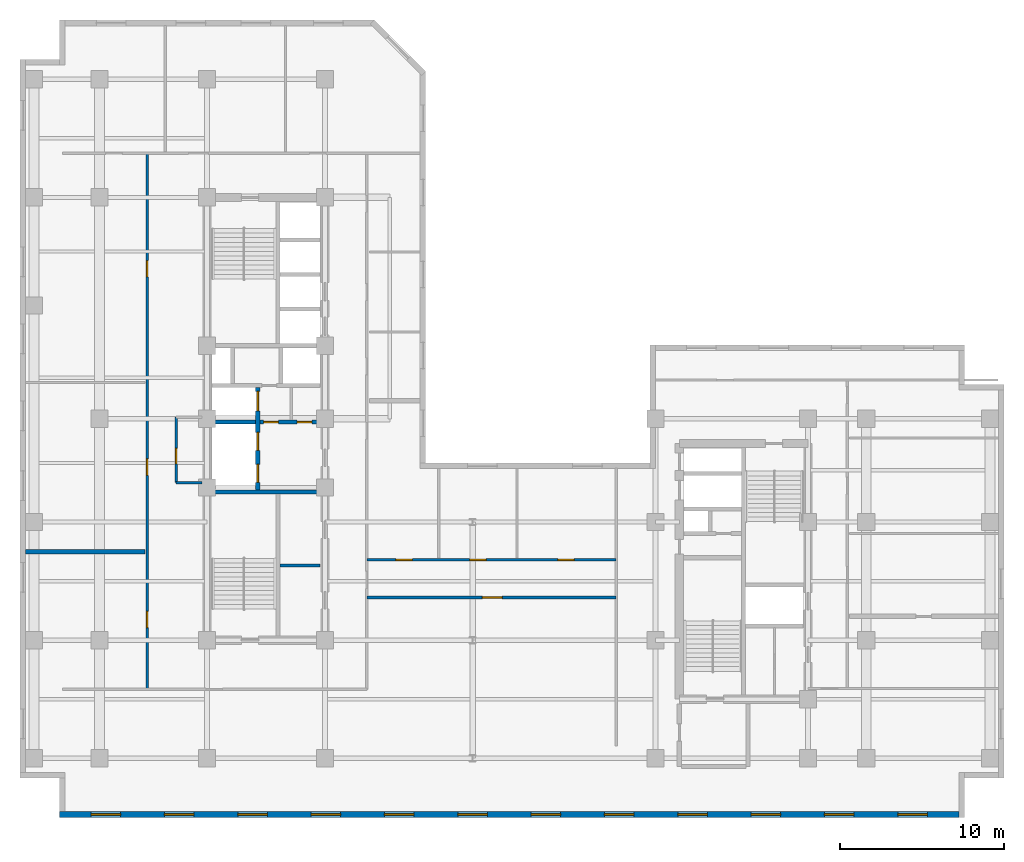
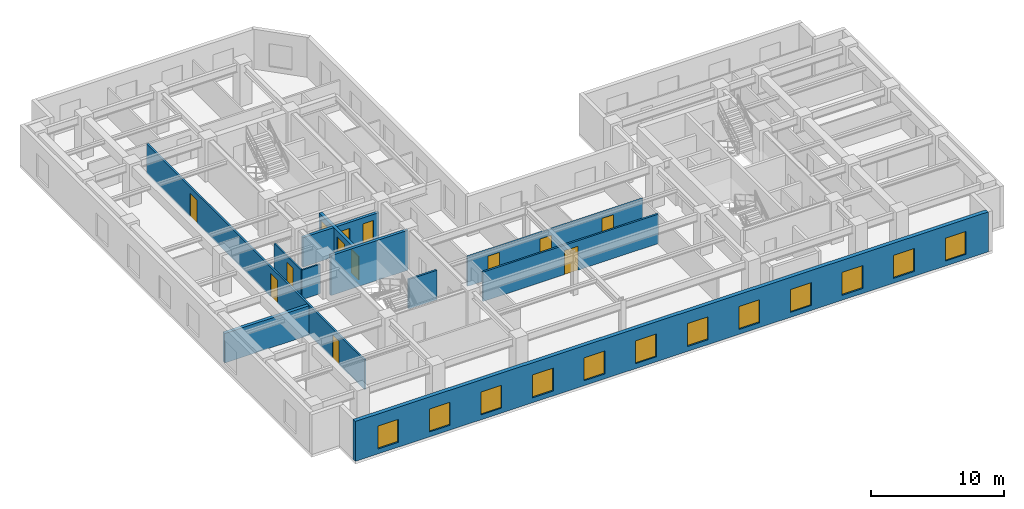
# One storey, part 3 of 10: 13 doors, 12 windows, 11 walls, 25 openings.
"""IFC4 building model written with IfcOpenShell, lengths in metres."""

from ifc_helpers import new_model, entity, si_unit, converted_unit, direction, frame, origin_with_axes, origin_2d_with_axis, place, context, subcontext, project, spatial, polyline, rectangle, outline, extrude, material, layer, layer_set, type_object, element, fill, save


model = new_model("IFC4")

# Units and contexts
model_context = context("Model", 3, precision=1e-05, world=origin_with_axes(), true_north=direction((0.0, 1.0)))
body_context = subcontext(model_context, "Body", "Model", "MODEL_VIEW")
ifc_project = project(units=[si_unit("LENGTHUNIT", "METRE"), si_unit("AREAUNIT", "SQUARE_METRE"), si_unit("VOLUMEUNIT", "CUBIC_METRE"), converted_unit("PLANEANGLEUNIT", "DEGREE", entity("IfcPlaneAngleMeasure", 0.017453292519943295), si_unit("PLANEANGLEUNIT", "RADIAN"), dimensions=[0, 0, 0, 0, 0, 0, 0]), si_unit("MASSUNIT", "GRAM", prefix="KILO"), si_unit("THERMODYNAMICTEMPERATUREUNIT", "KELVIN")], contexts=[model_context])

# Site, building, storey
site_placement = place(None, origin_with_axes())
site = spatial("IfcSite", under=ifc_project, at=site_placement, CompositionType="ELEMENT")
building_placement = place(site_placement, origin_with_axes())
building = spatial("IfcBuilding", under=site, at=building_placement, Name="Varnlund Millrace Tower", CompositionType="ELEMENT")
storey_placement = place(building_placement, frame((0.0, 0.0, 171.9), z_axis=(0.0, 0.0, 1.0), x_axis=(1.0, 0.0, 0.0)))
storey = spatial("IfcBuildingStorey", under=building, at=storey_placement, Name="L42", CompositionType="ELEMENT", Elevation=171.9)

# Wall, openings, windows
ifc_material_1 = material(Name="Precast concrete C50/60", Category="concrete")
ifc_layer_1 = layer(ifc_material_1, 0.34, Name="Precast concrete C50/60")
ifc_layer_set_1 = layer_set([ifc_layer_1], Name="Precast concrete C50/60")
wall_type_1 = type_object("IfcWallType", Name="Type-ExtWall-Precast-Upper-340", PredefinedType="SOLIDWALL", material=ifc_layer_set_1)
wall_1_placement = place(storey_placement, frame((57.26, 0.17, 0.0), z_axis=(0.0, 0.0, 1.0), x_axis=(-1.0, 0.0, 0.0)))
wall_1 = element("IfcWall", 1, at=wall_1_placement, inside=storey, type_object=wall_type_1, Name="Type-ExtWall-Precast-Upper-340", PredefinedType="SOLIDWALL", context=body_context, shape_type="SweptSolid", body=[
    extrude(outline(polyline([(0.0, -0.17), (54.86, -0.17), (54.86, 0.17), (0.0, 0.17), (0.0, -0.17)])), origin_with_axes(), (0.0, 0.0, 1.0), 3.66),
])
opening_1_placement = place(wall_1_placement, frame((2.836, 0.0, 0.45), z_axis=(0.0, 0.0, 1.0), x_axis=(1.0, 0.0, 0.0)))
opening_1 = element("IfcOpeningElement", 2, at=opening_1_placement, cuts=wall_1, Name="Opening L42:WN-07", PredefinedType="OPENING", context=body_context, shape_type="SweptSolid", body=[
    extrude(rectangle(XDim=1.8, YDim=0.36, at=origin_2d_with_axis()), origin_with_axes(), (0.0, 0.0, 1.0), 2.1),
])
opening_2_placement = place(wall_1_placement, frame((7.307, 0.0, 0.45), z_axis=(0.0, 0.0, 1.0), x_axis=(1.0, 0.0, 0.0)))
opening_2 = element("IfcOpeningElement", 3, at=opening_2_placement, cuts=wall_1, Name="Opening L42:WN-08", PredefinedType="OPENING", context=body_context, shape_type="SweptSolid", body=[
    extrude(rectangle(XDim=1.8, YDim=0.36, at=origin_2d_with_axis()), origin_with_axes(), (0.0, 0.0, 1.0), 2.1),
])
opening_3_placement = place(wall_1_placement, frame((11.779, 0.0, 0.45), z_axis=(0.0, 0.0, 1.0), x_axis=(1.0, 0.0, 0.0)))
opening_3 = element("IfcOpeningElement", 4, at=opening_3_placement, cuts=wall_1, Name="Opening L42:WN-09", PredefinedType="OPENING", context=body_context, shape_type="SweptSolid", body=[
    extrude(rectangle(XDim=1.8, YDim=0.36, at=origin_2d_with_axis()), origin_with_axes(), (0.0, 0.0, 1.0), 2.1),
])
opening_4_placement = place(wall_1_placement, frame((16.251, 0.0, 0.45), z_axis=(0.0, 0.0, 1.0), x_axis=(1.0, 0.0, 0.0)))
opening_4 = element("IfcOpeningElement", 5, at=opening_4_placement, cuts=wall_1, Name="Opening L42:WN-10", PredefinedType="OPENING", context=body_context, shape_type="SweptSolid", body=[
    extrude(rectangle(XDim=1.8, YDim=0.36, at=origin_2d_with_axis()), origin_with_axes(), (0.0, 0.0, 1.0), 2.1),
])
opening_5_placement = place(wall_1_placement, frame((20.723, 0.0, 0.45), z_axis=(0.0, 0.0, 1.0), x_axis=(1.0, 0.0, 0.0)))
opening_5 = element("IfcOpeningElement", 6, at=opening_5_placement, cuts=wall_1, Name="Opening L42:WN-11", PredefinedType="OPENING", context=body_context, shape_type="SweptSolid", body=[
    extrude(rectangle(XDim=1.8, YDim=0.36, at=origin_2d_with_axis()), origin_with_axes(), (0.0, 0.0, 1.0), 2.1),
])
opening_6_placement = place(wall_1_placement, frame((25.194, 0.0, 0.45), z_axis=(0.0, 0.0, 1.0), x_axis=(1.0, 0.0, 0.0)))
opening_6 = element("IfcOpeningElement", 7, at=opening_6_placement, cuts=wall_1, Name="Opening L42:WN-12", PredefinedType="OPENING", context=body_context, shape_type="SweptSolid", body=[
    extrude(rectangle(XDim=1.8, YDim=0.36, at=origin_2d_with_axis()), origin_with_axes(), (0.0, 0.0, 1.0), 2.1),
])
opening_7_placement = place(wall_1_placement, frame((29.666, 0.0, 0.45), z_axis=(0.0, 0.0, 1.0), x_axis=(1.0, 0.0, 0.0)))
opening_7 = element("IfcOpeningElement", 8, at=opening_7_placement, cuts=wall_1, Name="Opening L42:WN-13", PredefinedType="OPENING", context=body_context, shape_type="SweptSolid", body=[
    extrude(rectangle(XDim=1.8, YDim=0.36, at=origin_2d_with_axis()), origin_with_axes(), (0.0, 0.0, 1.0), 2.1),
])
opening_8_placement = place(wall_1_placement, frame((34.138, 0.0, 0.45), z_axis=(0.0, 0.0, 1.0), x_axis=(1.0, 0.0, 0.0)))
opening_8 = element("IfcOpeningElement", 9, at=opening_8_placement, cuts=wall_1, Name="Opening L42:WN-14", PredefinedType="OPENING", context=body_context, shape_type="SweptSolid", body=[
    extrude(rectangle(XDim=1.8, YDim=0.36, at=origin_2d_with_axis()), origin_with_axes(), (0.0, 0.0, 1.0), 2.1),
])
opening_9_placement = place(wall_1_placement, frame((38.609, 0.0, 0.45), z_axis=(0.0, 0.0, 1.0), x_axis=(1.0, 0.0, 0.0)))
opening_9 = element("IfcOpeningElement", 10, at=opening_9_placement, cuts=wall_1, Name="Opening L42:WN-15", PredefinedType="OPENING", context=body_context, shape_type="SweptSolid", body=[
    extrude(rectangle(XDim=1.8, YDim=0.36, at=origin_2d_with_axis()), origin_with_axes(), (0.0, 0.0, 1.0), 2.1),
])
opening_10_placement = place(wall_1_placement, frame((43.081, 0.0, 0.45), z_axis=(0.0, 0.0, 1.0), x_axis=(1.0, 0.0, 0.0)))
opening_10 = element("IfcOpeningElement", 11, at=opening_10_placement, cuts=wall_1, Name="Opening L42:WN-16", PredefinedType="OPENING", context=body_context, shape_type="SweptSolid", body=[
    extrude(rectangle(XDim=1.8, YDim=0.36, at=origin_2d_with_axis()), origin_with_axes(), (0.0, 0.0, 1.0), 2.1),
])
opening_11_placement = place(wall_1_placement, frame((47.553, 0.0, 0.45), z_axis=(0.0, 0.0, 1.0), x_axis=(1.0, 0.0, 0.0)))
opening_11 = element("IfcOpeningElement", 12, at=opening_11_placement, cuts=wall_1, Name="Opening L42:WN-17", PredefinedType="OPENING", context=body_context, shape_type="SweptSolid", body=[
    extrude(rectangle(XDim=1.8, YDim=0.36, at=origin_2d_with_axis()), origin_with_axes(), (0.0, 0.0, 1.0), 2.1),
])
opening_12_placement = place(wall_1_placement, frame((52.024, 0.0, 0.45), z_axis=(0.0, 0.0, 1.0), x_axis=(1.0, 0.0, 0.0)))
opening_12 = element("IfcOpeningElement", 13, at=opening_12_placement, cuts=wall_1, Name="Opening L42:WN-18", PredefinedType="OPENING", context=body_context, shape_type="SweptSolid", body=[
    extrude(rectangle(XDim=1.8, YDim=0.36, at=origin_2d_with_axis()), origin_with_axes(), (0.0, 0.0, 1.0), 2.1),
])
ifc_material_2 = material(Name="Argon low-e triple glazing in thermally broken bronze frame", Category="glass")
window_type = type_object("IfcWindowType", Name="Type-Window-Punched-1800X2100", PartitioningType="SINGLE_PANEL", PredefinedType="WINDOW", material=ifc_material_2)
window_1_placement = place(wall_1_placement, frame((2.836, 0.0, 0.45), z_axis=(0.0, 0.0, 1.0), x_axis=(1.0, 0.0, 0.0)))
window_1 = element("IfcWindow", 14, at=window_1_placement, inside=storey, type_object=window_type, Name="Type-Window-Punched-1800X2100", OverallHeight=2.1, OverallWidth=1.8, PredefinedType="WINDOW", context=body_context, shape_type="SweptSolid", body=[
    extrude(rectangle(XDim=1.8, YDim=0.09, at=origin_2d_with_axis()), origin_with_axes(), (0.0, 0.0, 1.0), 2.1),
])
fill(opening_1, window_1)
window_2_placement = place(wall_1_placement, frame((7.307, 0.0, 0.45), z_axis=(0.0, 0.0, 1.0), x_axis=(1.0, 0.0, 0.0)))
window_2 = element("IfcWindow", 15, at=window_2_placement, inside=storey, type_object=window_type, Name="Type-Window-Punched-1800X2100", OverallHeight=2.1, OverallWidth=1.8, PredefinedType="WINDOW", context=body_context, shape_type="SweptSolid", body=[
    extrude(rectangle(XDim=1.8, YDim=0.09, at=origin_2d_with_axis()), origin_with_axes(), (0.0, 0.0, 1.0), 2.1),
])
fill(opening_2, window_2)
window_3_placement = place(wall_1_placement, frame((11.779, 0.0, 0.45), z_axis=(0.0, 0.0, 1.0), x_axis=(1.0, 0.0, 0.0)))
window_3 = element("IfcWindow", 16, at=window_3_placement, inside=storey, type_object=window_type, Name="Type-Window-Punched-1800X2100", OverallHeight=2.1, OverallWidth=1.8, PredefinedType="WINDOW", context=body_context, shape_type="SweptSolid", body=[
    extrude(rectangle(XDim=1.8, YDim=0.09, at=origin_2d_with_axis()), origin_with_axes(), (0.0, 0.0, 1.0), 2.1),
])
fill(opening_3, window_3)
window_4_placement = place(wall_1_placement, frame((16.251, 0.0, 0.45), z_axis=(0.0, 0.0, 1.0), x_axis=(1.0, 0.0, 0.0)))
window_4 = element("IfcWindow", 17, at=window_4_placement, inside=storey, type_object=window_type, Name="Type-Window-Punched-1800X2100", OverallHeight=2.1, OverallWidth=1.8, PredefinedType="WINDOW", context=body_context, shape_type="SweptSolid", body=[
    extrude(rectangle(XDim=1.8, YDim=0.09, at=origin_2d_with_axis()), origin_with_axes(), (0.0, 0.0, 1.0), 2.1),
])
fill(opening_4, window_4)
window_5_placement = place(wall_1_placement, frame((20.723, 0.0, 0.45), z_axis=(0.0, 0.0, 1.0), x_axis=(1.0, 0.0, 0.0)))
window_5 = element("IfcWindow", 18, at=window_5_placement, inside=storey, type_object=window_type, Name="Type-Window-Punched-1800X2100", OverallHeight=2.1, OverallWidth=1.8, PredefinedType="WINDOW", context=body_context, shape_type="SweptSolid", body=[
    extrude(rectangle(XDim=1.8, YDim=0.09, at=origin_2d_with_axis()), origin_with_axes(), (0.0, 0.0, 1.0), 2.1),
])
fill(opening_5, window_5)
window_6_placement = place(wall_1_placement, frame((25.194, 0.0, 0.45), z_axis=(0.0, 0.0, 1.0), x_axis=(1.0, 0.0, 0.0)))
window_6 = element("IfcWindow", 19, at=window_6_placement, inside=storey, type_object=window_type, Name="Type-Window-Punched-1800X2100", OverallHeight=2.1, OverallWidth=1.8, PredefinedType="WINDOW", context=body_context, shape_type="SweptSolid", body=[
    extrude(rectangle(XDim=1.8, YDim=0.09, at=origin_2d_with_axis()), origin_with_axes(), (0.0, 0.0, 1.0), 2.1),
])
fill(opening_6, window_6)
window_7_placement = place(wall_1_placement, frame((29.666, 0.0, 0.45), z_axis=(0.0, 0.0, 1.0), x_axis=(1.0, 0.0, 0.0)))
window_7 = element("IfcWindow", 20, at=window_7_placement, inside=storey, type_object=window_type, Name="Type-Window-Punched-1800X2100", OverallHeight=2.1, OverallWidth=1.8, PredefinedType="WINDOW", context=body_context, shape_type="SweptSolid", body=[
    extrude(rectangle(XDim=1.8, YDim=0.09, at=origin_2d_with_axis()), origin_with_axes(), (0.0, 0.0, 1.0), 2.1),
])
fill(opening_7, window_7)
window_8_placement = place(wall_1_placement, frame((34.138, 0.0, 0.45), z_axis=(0.0, 0.0, 1.0), x_axis=(1.0, 0.0, 0.0)))
window_8 = element("IfcWindow", 21, at=window_8_placement, inside=storey, type_object=window_type, Name="Type-Window-Punched-1800X2100", OverallHeight=2.1, OverallWidth=1.8, PredefinedType="WINDOW", context=body_context, shape_type="SweptSolid", body=[
    extrude(rectangle(XDim=1.8, YDim=0.09, at=origin_2d_with_axis()), origin_with_axes(), (0.0, 0.0, 1.0), 2.1),
])
fill(opening_8, window_8)
window_9_placement = place(wall_1_placement, frame((38.609, 0.0, 0.45), z_axis=(0.0, 0.0, 1.0), x_axis=(1.0, 0.0, 0.0)))
window_9 = element("IfcWindow", 22, at=window_9_placement, inside=storey, type_object=window_type, Name="Type-Window-Punched-1800X2100", OverallHeight=2.1, OverallWidth=1.8, PredefinedType="WINDOW", context=body_context, shape_type="SweptSolid", body=[
    extrude(rectangle(XDim=1.8, YDim=0.09, at=origin_2d_with_axis()), origin_with_axes(), (0.0, 0.0, 1.0), 2.1),
])
fill(opening_9, window_9)
window_10_placement = place(wall_1_placement, frame((43.081, 0.0, 0.45), z_axis=(0.0, 0.0, 1.0), x_axis=(1.0, 0.0, 0.0)))
window_10 = element("IfcWindow", 23, at=window_10_placement, inside=storey, type_object=window_type, Name="Type-Window-Punched-1800X2100", OverallHeight=2.1, OverallWidth=1.8, PredefinedType="WINDOW", context=body_context, shape_type="SweptSolid", body=[
    extrude(rectangle(XDim=1.8, YDim=0.09, at=origin_2d_with_axis()), origin_with_axes(), (0.0, 0.0, 1.0), 2.1),
])
fill(opening_10, window_10)
window_11_placement = place(wall_1_placement, frame((47.553, 0.0, 0.45), z_axis=(0.0, 0.0, 1.0), x_axis=(1.0, 0.0, 0.0)))
window_11 = element("IfcWindow", 24, at=window_11_placement, inside=storey, type_object=window_type, Name="Type-Window-Punched-1800X2100", OverallHeight=2.1, OverallWidth=1.8, PredefinedType="WINDOW", context=body_context, shape_type="SweptSolid", body=[
    extrude(rectangle(XDim=1.8, YDim=0.09, at=origin_2d_with_axis()), origin_with_axes(), (0.0, 0.0, 1.0), 2.1),
])
fill(opening_11, window_11)
window_12_placement = place(wall_1_placement, frame((52.024, 0.0, 0.45), z_axis=(0.0, 0.0, 1.0), x_axis=(1.0, 0.0, 0.0)))
window_12 = element("IfcWindow", 25, at=window_12_placement, inside=storey, type_object=window_type, Name="Type-Window-Punched-1800X2100", OverallHeight=2.1, OverallWidth=1.8, PredefinedType="WINDOW", context=body_context, shape_type="SweptSolid", body=[
    extrude(rectangle(XDim=1.8, YDim=0.09, at=origin_2d_with_axis()), origin_with_axes(), (0.0, 0.0, 1.0), 2.1),
])
fill(opening_12, window_12)

# Walls
ifc_material_3 = material(Name="Double-stud STC-60 conference acoustic partition", Category="gypsum")
ifc_layer_2 = layer(ifc_material_3, 0.28, Name="Double-stud STC-60 conference acoustic partition")
ifc_layer_set_2 = layer_set([ifc_layer_2], Name="Double-stud STC-60 conference acoustic partition")
wall_type_2 = type_object("IfcWallType", Name="Type-Partition-Acoustic-280", PredefinedType="PARTITIONING", material=ifc_layer_set_2)
wall_2_placement = place(storey_placement, frame((0.335, 16.185, 0.0), z_axis=(0.0, 0.0, 1.0), x_axis=(1.0, 0.0, 0.0)))
element("IfcWall", 26, at=wall_2_placement, inside=storey, type_object=wall_type_2, Name="Type-Partition-Acoustic-280", PredefinedType="PARTITIONING", context=body_context, shape_type="SweptSolid", body=[
    extrude(outline(polyline([(0.0, -0.14), (7.295, -0.14), (7.295, 0.14), (0.0, 0.14), (0.0, -0.14)])), origin_with_axes(), (0.0, 0.0, 1.0), 2.7),
])
ifc_material_4 = material(Name="Fire-rated gypsum board on cold-formed steel framing", Category="steel")
ifc_layer_3 = layer(ifc_material_4, 0.16, Name="Fire-rated gypsum board on cold-formed steel framing")
ifc_layer_set_3 = layer_set([ifc_layer_3], Name="Fire-rated gypsum board on cold-formed steel framing")
wall_type_3 = type_object("IfcWallType", Name="Type-Partition-Corridor-160", PredefinedType="PARTITIONING", material=ifc_layer_set_3)
wall_3_placement = place(storey_placement, frame((15.84, 15.35, 0.0), z_axis=(0.0, 0.0, 1.0), x_axis=(1.0, 0.0, 0.0)))
element("IfcWall", 27, at=wall_3_placement, inside=storey, type_object=wall_type_3, Name="Type-Partition-Corridor-160", PredefinedType="PARTITIONING", context=body_context, shape_type="SweptSolid", body=[
    extrude(outline(polyline([(0.0, -0.08), (2.46, -0.08), (2.46, 0.08), (0.0, 0.08), (0.0, -0.08)])), origin_with_axes(), (0.0, 0.0, 1.0), 2.7),
])

# Wall, openings, doors
wall_4_placement = place(storey_placement, frame((7.75, 7.8, 0.0), z_axis=(0.0, 0.0, 1.0), x_axis=(0.0, 1.0, 0.0)))
wall_4 = element("IfcWall", 28, at=wall_4_placement, inside=storey, type_object=wall_type_3, Name="Type-Partition-Corridor-160", PredefinedType="PARTITIONING", context=body_context, shape_type="SweptSolid", body=[
    extrude(outline(polyline([(0.0, -0.08), (32.7, -0.08), (32.7, 0.08), (0.0, 0.08), (0.0, -0.08)])), origin_with_axes(), (0.0, 0.0, 1.0), 2.7),
])
opening_13_placement = place(wall_4_placement, frame((4.2575, 0.0, 0.0), z_axis=(0.0, 0.0, 1.0), x_axis=(1.0, 0.0, 0.0)))
opening_13 = element("IfcOpeningElement", 29, at=opening_13_placement, cuts=wall_4, Name="Opening L42:DR-W-01", PredefinedType="OPENING", context=body_context, shape_type="SweptSolid", body=[
    extrude(rectangle(XDim=1.0, YDim=0.18, at=origin_2d_with_axis()), origin_with_axes(), (0.0, 0.0, 1.0), 2.15),
])
opening_14_placement = place(wall_4_placement, frame((13.551, 0.0, 0.0), z_axis=(0.0, 0.0, 1.0), x_axis=(1.0, 0.0, 0.0)))
opening_14 = element("IfcOpeningElement", 30, at=opening_14_placement, cuts=wall_4, Name="Opening L42:DR-W-02", PredefinedType="OPENING", context=body_context, shape_type="SweptSolid", body=[
    extrude(rectangle(XDim=1.0, YDim=0.18, at=origin_2d_with_axis()), origin_with_axes(), (0.0, 0.0, 1.0), 2.15),
])
opening_15_placement = place(wall_4_placement, frame((25.6435, 0.0, 0.0), z_axis=(0.0, 0.0, 1.0), x_axis=(1.0, 0.0, 0.0)))
opening_15 = element("IfcOpeningElement", 31, at=opening_15_placement, cuts=wall_4, Name="Opening L42:DR-W-03", PredefinedType="OPENING", context=body_context, shape_type="SweptSolid", body=[
    extrude(rectangle(XDim=1.0, YDim=0.18, at=origin_2d_with_axis()), origin_with_axes(), (0.0, 0.0, 1.0), 2.15),
])
ifc_material_5 = material(Name="Solid-core white oak and bronze frame door")
door_type_1 = type_object("IfcDoorType", Name="Type-IntDoor-Office-1000X2150", OperationType="NOTDEFINED", PredefinedType="DOOR", material=ifc_material_5)
door_1_placement = place(wall_4_placement, frame((4.2575, 0.0, 0.0), z_axis=(0.0, 0.0, 1.0), x_axis=(1.0, 0.0, 0.0)))
door_1 = element("IfcDoor", 32, at=door_1_placement, inside=storey, type_object=door_type_1, Name="Type-IntDoor-Office-1000X2150", OperationType="SINGLE_SWING_LEFT", OverallHeight=2.15, OverallWidth=1.0, PredefinedType="DOOR", context=body_context, shape_type="SweptSolid", body=[
    extrude(rectangle(XDim=1.0, YDim=0.09, at=origin_2d_with_axis()), origin_with_axes(), (0.0, 0.0, 1.0), 2.15),
])
fill(opening_13, door_1)
door_2_placement = place(wall_4_placement, frame((13.551, 0.0, 0.0), z_axis=(0.0, 0.0, 1.0), x_axis=(1.0, 0.0, 0.0)))
door_2 = element("IfcDoor", 33, at=door_2_placement, inside=storey, type_object=door_type_1, Name="Type-IntDoor-Office-1000X2150", OperationType="SINGLE_SWING_RIGHT", OverallHeight=2.15, OverallWidth=1.0, PredefinedType="DOOR", context=body_context, shape_type="SweptSolid", body=[
    extrude(rectangle(XDim=1.0, YDim=0.09, at=origin_2d_with_axis()), origin_with_axes(), (0.0, 0.0, 1.0), 2.15),
])
fill(opening_14, door_2)
door_3_placement = place(wall_4_placement, frame((25.6435, 0.0, 0.0), z_axis=(0.0, 0.0, 1.0), x_axis=(1.0, 0.0, 0.0)))
door_3 = element("IfcDoor", 34, at=door_3_placement, inside=storey, type_object=door_type_1, Name="Type-IntDoor-Office-1000X2150", OperationType="SINGLE_SWING_LEFT", OverallHeight=2.15, OverallWidth=1.0, PredefinedType="DOOR", context=body_context, shape_type="SweptSolid", body=[
    extrude(rectangle(XDim=1.0, YDim=0.09, at=origin_2d_with_axis()), origin_with_axes(), (0.0, 0.0, 1.0), 2.15),
])
fill(opening_15, door_3)

# Wall, opening, door
wall_5_placement = place(storey_placement, frame((21.15, 13.4, 0.0), z_axis=(0.0, 0.0, 1.0), x_axis=(1.0, 0.0, 0.0)))
wall_5 = element("IfcWall", 35, at=wall_5_placement, inside=storey, type_object=wall_type_3, Name="Type-Partition-Corridor-160", PredefinedType="PARTITIONING", context=body_context, shape_type="SweptSolid", body=[
    extrude(outline(polyline([(0.0, -0.08), (15.2, -0.08), (15.2, 0.08), (0.0, 0.08), (0.0, -0.08)])), origin_with_axes(), (0.0, 0.0, 1.0), 2.7),
])
opening_16_placement = place(wall_5_placement, frame((7.65, 0.0, 0.0), z_axis=(0.0, 0.0, 1.0), x_axis=(1.0, 0.0, 0.0)))
opening_16 = element("IfcOpeningElement", 36, at=opening_16_placement, cuts=wall_5, Name="Opening L42:DR-KNS-01", PredefinedType="OPENING", context=body_context, shape_type="SweptSolid", body=[
    extrude(rectangle(XDim=1.2, YDim=0.18, at=origin_2d_with_axis()), origin_with_axes(), (0.0, 0.0, 1.0), 2.2),
])
ifc_material_6 = material(Name="Wide executive white oak acoustic door")
door_type_2 = type_object("IfcDoorType", Name="Type-IntDoor-Exec-1200X2200", OperationType="NOTDEFINED", PredefinedType="DOOR", material=ifc_material_6)
door_4_placement = place(wall_5_placement, frame((7.65, 0.0, 0.0), z_axis=(0.0, 0.0, 1.0), x_axis=(1.0, 0.0, 0.0)))
door_4 = element("IfcDoor", 37, at=door_4_placement, inside=storey, type_object=door_type_2, Name="Type-IntDoor-Exec-1200X2200", OperationType="SINGLE_SWING_LEFT", OverallHeight=2.2, OverallWidth=1.2, PredefinedType="DOOR", context=body_context, shape_type="SweptSolid", body=[
    extrude(rectangle(XDim=1.2, YDim=0.09, at=origin_2d_with_axis()), origin_with_axes(), (0.0, 0.0, 1.0), 2.2),
])
fill(opening_16, door_4)

# Wall, openings, doors
wall_6_placement = place(storey_placement, frame((21.15, 15.7, 0.0), z_axis=(0.0, 0.0, 1.0), x_axis=(1.0, 0.0, 0.0)))
wall_6 = element("IfcWall", 38, at=wall_6_placement, inside=storey, type_object=wall_type_3, Name="Type-Partition-Corridor-160", PredefinedType="PARTITIONING", context=body_context, shape_type="SweptSolid", body=[
    extrude(outline(polyline([(0.0, -0.08), (15.2, -0.08), (15.2, 0.08), (0.0, 0.08), (0.0, -0.08)])), origin_with_axes(), (0.0, 0.0, 1.0), 2.7),
])
opening_17_placement = place(wall_6_placement, frame((2.275, 0.0, 0.0), z_axis=(0.0, 0.0, 1.0), x_axis=(1.0, 0.0, 0.0)))
opening_17 = element("IfcOpeningElement", 39, at=opening_17_placement, cuts=wall_6, Name="Opening L42:DR-KN-01", PredefinedType="OPENING", context=body_context, shape_type="SweptSolid", body=[
    extrude(rectangle(XDim=1.0, YDim=0.18, at=origin_2d_with_axis()), origin_with_axes(), (0.0, 0.0, 1.0), 2.15),
])
opening_18_placement = place(wall_6_placement, frame((6.768, 0.0, 0.0), z_axis=(0.0, 0.0, 1.0), x_axis=(1.0, 0.0, 0.0)))
opening_18 = element("IfcOpeningElement", 40, at=opening_18_placement, cuts=wall_6, Name="Opening L42:DR-KN-02", PredefinedType="OPENING", context=body_context, shape_type="SweptSolid", body=[
    extrude(rectangle(XDim=1.0, YDim=0.18, at=origin_2d_with_axis()), origin_with_axes(), (0.0, 0.0, 1.0), 2.15),
])
opening_19_placement = place(wall_6_placement, frame((12.143, 0.0, 0.0), z_axis=(0.0, 0.0, 1.0), x_axis=(1.0, 0.0, 0.0)))
opening_19 = element("IfcOpeningElement", 41, at=opening_19_placement, cuts=wall_6, Name="Opening L42:DR-KN-03", PredefinedType="OPENING", context=body_context, shape_type="SweptSolid", body=[
    extrude(rectangle(XDim=1.0, YDim=0.18, at=origin_2d_with_axis()), origin_with_axes(), (0.0, 0.0, 1.0), 2.15),
])
door_5_placement = place(wall_6_placement, frame((2.275, 0.0, 0.0), z_axis=(0.0, 0.0, 1.0), x_axis=(1.0, 0.0, 0.0)))
door_5 = element("IfcDoor", 42, at=door_5_placement, inside=storey, type_object=door_type_1, Name="Type-IntDoor-Office-1000X2150", OperationType="SINGLE_SWING_LEFT", OverallHeight=2.15, OverallWidth=1.0, PredefinedType="DOOR", context=body_context, shape_type="SweptSolid", body=[
    extrude(rectangle(XDim=1.0, YDim=0.09, at=origin_2d_with_axis()), origin_with_axes(), (0.0, 0.0, 1.0), 2.15),
])
fill(opening_17, door_5)
door_6_placement = place(wall_6_placement, frame((6.768, 0.0, 0.0), z_axis=(0.0, 0.0, 1.0), x_axis=(1.0, 0.0, 0.0)))
door_6 = element("IfcDoor", 43, at=door_6_placement, inside=storey, type_object=door_type_1, Name="Type-IntDoor-Office-1000X2150", OperationType="SINGLE_SWING_RIGHT", OverallHeight=2.15, OverallWidth=1.0, PredefinedType="DOOR", context=body_context, shape_type="SweptSolid", body=[
    extrude(rectangle(XDim=1.0, YDim=0.09, at=origin_2d_with_axis()), origin_with_axes(), (0.0, 0.0, 1.0), 2.15),
])
fill(opening_18, door_6)
door_7_placement = place(wall_6_placement, frame((12.143, 0.0, 0.0), z_axis=(0.0, 0.0, 1.0), x_axis=(1.0, 0.0, 0.0)))
door_7 = element("IfcDoor", 44, at=door_7_placement, inside=storey, type_object=door_type_1, Name="Type-IntDoor-Office-1000X2150", OperationType="SINGLE_SWING_LEFT", OverallHeight=2.15, OverallWidth=1.0, PredefinedType="DOOR", context=body_context, shape_type="SweptSolid", body=[
    extrude(rectangle(XDim=1.0, YDim=0.09, at=origin_2d_with_axis()), origin_with_axes(), (0.0, 0.0, 1.0), 2.15),
])
fill(opening_19, door_7)

# Wall, opening, door
ifc_material_7 = material(Name="Moisture-resistant gypsum restroom partition", Category="gypsum")
ifc_layer_4 = layer(ifc_material_7, 0.14, Name="Moisture-resistant gypsum restroom partition")
ifc_layer_set_4 = layer_set([ifc_layer_4], Name="Moisture-resistant gypsum restroom partition")
wall_type_4 = type_object("IfcWallType", Name="Type-Partition-Wet-140", PredefinedType="PARTITIONING", material=ifc_layer_set_4)
wall_7_placement = place(storey_placement, frame((9.52, 20.4, 0.0), z_axis=(0.0, 0.0, 1.0), x_axis=(0.0, 1.0, 0.0)))
wall_7 = element("IfcWall", 45, at=wall_7_placement, inside=storey, type_object=wall_type_4, Name="Type-Partition-Wet-140", PredefinedType="PARTITIONING", context=body_context, shape_type="SweptSolid", body=[
    extrude(outline(polyline([(0.0, -0.07), (4.0, -0.07), (4.0, 0.07), (0.0, 0.07), (0.0, -0.07)])), origin_with_axes(), (0.0, 0.0, 1.0), 2.7),
])
opening_20_placement = place(wall_7_placement, frame((1.625, 0.0, 0.0), z_axis=(0.0, 0.0, 1.0), x_axis=(1.0, 0.0, 0.0)))
opening_20 = element("IfcOpeningElement", 46, at=opening_20_placement, cuts=wall_7, Name="Opening L42:DR-CA-WCW", PredefinedType="OPENING", context=body_context, shape_type="SweptSolid", body=[
    extrude(rectangle(XDim=0.95, YDim=0.16, at=origin_2d_with_axis()), origin_with_axes(), (0.0, 0.0, 1.0), 2.15),
])
ifc_material_8 = material(Name="Solid-core acoustic office door")
door_type_3 = type_object("IfcDoorType", Name="Type-IntDoor-Tenant-950X2150", OperationType="NOTDEFINED", PredefinedType="DOOR", material=ifc_material_8)
door_8_placement = place(wall_7_placement, frame((1.625, 0.0, 0.0), z_axis=(0.0, 0.0, 1.0), x_axis=(1.0, 0.0, 0.0)))
door_8 = element("IfcDoor", 47, at=door_8_placement, inside=storey, type_object=door_type_3, Name="Type-IntDoor-Tenant-950X2150", OperationType="SINGLE_SWING_LEFT", OverallHeight=2.15, OverallWidth=0.95, PredefinedType="DOOR", context=body_context, shape_type="SweptSolid", body=[
    extrude(rectangle(XDim=0.95, YDim=0.084, at=origin_2d_with_axis()), origin_with_axes(), (0.0, 0.0, 1.0), 2.15),
])
fill(opening_20, door_8)

# Wall
wall_8_placement = place(storey_placement, frame((9.52, 20.4, 0.0), z_axis=(0.0, 0.0, 1.0), x_axis=(1.0, 0.0, 0.0)))
element("IfcWall", 48, at=wall_8_placement, inside=storey, type_object=wall_type_4, Name="Type-Partition-Wet-140", PredefinedType="PARTITIONING", context=body_context, shape_type="SweptSolid", body=[
    extrude(outline(polyline([(0.0, -0.07), (1.58, -0.07), (1.58, 0.07), (0.0, 0.07), (0.0, -0.07)])), origin_with_axes(), (0.0, 0.0, 1.0), 2.7),
])

# Wall, openings, doors
ifc_material_9 = material(Name="Concrete C60/75", Category="concrete")
ifc_layer_5 = layer(ifc_material_9, 0.25, Name="Concrete C60/75")
ifc_layer_set_5 = layer_set([ifc_layer_5], Name="Concrete C60/75")
wall_type_5 = type_object("IfcWallType", Name="Type-ShaftWall-Fire-250", PredefinedType="SOLIDWALL", material=ifc_layer_set_5)
wall_9_placement = place(storey_placement, frame((14.5, 19.95, 0.0), z_axis=(0.0, 0.0, 1.0), x_axis=(0.0, 1.0, 0.0)))
wall_9 = element("IfcWall", 49, at=wall_9_placement, inside=storey, type_object=wall_type_5, Name="Type-ShaftWall-Fire-250", PredefinedType="SOLIDWALL", context=body_context, shape_type="SweptSolid", body=[
    extrude(outline(polyline([(0.0, -0.125), (6.25, -0.125), (6.25, 0.125), (0.0, 0.125), (0.0, -0.125)])), origin_with_axes(), (0.0, 0.0, 1.0), 2.7),
])
opening_21_placement = place(wall_9_placement, frame((1.025, 0.0, 0.0), z_axis=(0.0, 0.0, 1.0), x_axis=(1.0, 0.0, 0.0)))
opening_21 = element("IfcOpeningElement", 50, at=opening_21_placement, cuts=wall_9, Name="Opening L42:LD-FSAE1", PredefinedType="OPENING", context=body_context, shape_type="SweptSolid", body=[
    extrude(rectangle(XDim=1.1, YDim=0.27, at=origin_2d_with_axis()), origin_with_axes(), (0.0, 0.0, 1.0), 2.15),
])
opening_22_placement = place(wall_9_placement, frame((2.975, 0.0, 0.0), z_axis=(0.0, 0.0, 1.0), x_axis=(1.0, 0.0, 0.0)))
opening_22 = element("IfcOpeningElement", 51, at=opening_22_placement, cuts=wall_9, Name="Opening L42:LD-FSAE2", PredefinedType="OPENING", context=body_context, shape_type="SweptSolid", body=[
    extrude(rectangle(XDim=1.1, YDim=0.27, at=origin_2d_with_axis()), origin_with_axes(), (0.0, 0.0, 1.0), 2.15),
])
opening_23_placement = place(wall_9_placement, frame((5.425, 0.0, 0.0), z_axis=(0.0, 0.0, 1.0), x_axis=(1.0, 0.0, 0.0)))
opening_23 = element("IfcOpeningElement", 52, at=opening_23_placement, cuts=wall_9, Name="Opening L42:LD-SRV1", PredefinedType="OPENING", context=body_context, shape_type="SweptSolid", body=[
    extrude(rectangle(XDim=1.2, YDim=0.27, at=origin_2d_with_axis()), origin_with_axes(), (0.0, 0.0, 1.0), 2.15),
])
ifc_material_10 = material(Name="Stainless and architectural bronze sliding landing door")
door_type_4 = type_object("IfcDoorType", Name="Type-LiftLandingDoor-1100X2150", OperationType="NOTDEFINED", PredefinedType="DOOR", material=ifc_material_10)
door_9_placement = place(wall_9_placement, frame((1.025, 0.0, 0.0), z_axis=(0.0, 0.0, 1.0), x_axis=(1.0, 0.0, 0.0)))
door_9 = element("IfcDoor", 53, at=door_9_placement, inside=storey, type_object=door_type_4, Name="Type-LiftLandingDoor-1100X2150", OperationType="SLIDING_TO_LEFT", OverallHeight=2.15, OverallWidth=1.1, PredefinedType="DOOR", context=body_context, shape_type="SweptSolid", body=[
    extrude(rectangle(XDim=1.1, YDim=0.09, at=origin_2d_with_axis()), origin_with_axes(), (0.0, 0.0, 1.0), 2.15),
])
fill(opening_21, door_9)
door_10_placement = place(wall_9_placement, frame((2.975, 0.0, 0.0), z_axis=(0.0, 0.0, 1.0), x_axis=(1.0, 0.0, 0.0)))
door_10 = element("IfcDoor", 54, at=door_10_placement, inside=storey, type_object=door_type_4, Name="Type-LiftLandingDoor-1100X2150", OperationType="SLIDING_TO_RIGHT", OverallHeight=2.15, OverallWidth=1.1, PredefinedType="DOOR", context=body_context, shape_type="SweptSolid", body=[
    extrude(rectangle(XDim=1.1, YDim=0.09, at=origin_2d_with_axis()), origin_with_axes(), (0.0, 0.0, 1.0), 2.15),
])
fill(opening_22, door_10)
ifc_material_11 = material(Name="Heavy-duty freight sliding landing door")
door_type_5 = type_object("IfcDoorType", Name="Type-LiftLandingDoor-Service-1200X2150", OperationType="NOTDEFINED", PredefinedType="DOOR", material=ifc_material_11)
door_11_placement = place(wall_9_placement, frame((5.425, 0.0, 0.0), z_axis=(0.0, 0.0, 1.0), x_axis=(1.0, 0.0, 0.0)))
door_11 = element("IfcDoor", 55, at=door_11_placement, inside=storey, type_object=door_type_5, Name="Type-LiftLandingDoor-Service-1200X2150", OperationType="DOUBLE_DOOR_SLIDING", OverallHeight=2.15, OverallWidth=1.2, PredefinedType="DOOR", context=body_context, shape_type="SweptSolid", body=[
    extrude(rectangle(XDim=1.2, YDim=0.09, at=origin_2d_with_axis()), origin_with_axes(), (0.0, 0.0, 1.0), 2.15),
])
fill(opening_23, door_11)

wall_10_placement = place(storey_placement, frame((11.7, 24.1, 0.0), z_axis=(0.0, 0.0, 1.0), x_axis=(1.0, 0.0, 0.0)))
wall_10 = element("IfcWall", 56, at=wall_10_placement, inside=storey, type_object=wall_type_5, Name="Type-ShaftWall-Fire-250", PredefinedType="SOLIDWALL", context=body_context, shape_type="SweptSolid", body=[
    extrude(outline(polyline([(0.0, -0.125), (6.6, -0.125), (6.6, 0.125), (0.0, 0.125), (0.0, -0.125)])), origin_with_axes(), (0.0, 0.0, 1.0), 2.7),
])
opening_24_placement = place(wall_10_placement, frame((3.6, 0.0, 0.0), z_axis=(0.0, 0.0, 1.0), x_axis=(1.0, 0.0, 0.0)))
opening_24 = element("IfcOpeningElement", 57, at=opening_24_placement, cuts=wall_10, Name="Opening L42:DR-CA-SUB1", PredefinedType="OPENING", context=body_context, shape_type="SweptSolid", body=[
    extrude(rectangle(XDim=0.9, YDim=0.27, at=origin_2d_with_axis()), origin_with_axes(), (0.0, 0.0, 1.0), 2.15),
])
opening_25_placement = place(wall_10_placement, frame((5.65, 0.0, 0.0), z_axis=(0.0, 0.0, 1.0), x_axis=(1.0, 0.0, 0.0)))
opening_25 = element("IfcOpeningElement", 58, at=opening_25_placement, cuts=wall_10, Name="Opening L42:DR-CA-SUB2", PredefinedType="OPENING", context=body_context, shape_type="SweptSolid", body=[
    extrude(rectangle(XDim=0.9, YDim=0.27, at=origin_2d_with_axis()), origin_with_axes(), (0.0, 0.0, 1.0), 2.15),
])
ifc_material_12 = material(Name="Fire-rated hollow steel service closet door", Category="steel")
door_type_6 = type_object("IfcDoorType", Name="Type-FireDoor-Closet-900X2150", OperationType="NOTDEFINED", PredefinedType="DOOR", material=ifc_material_12)
door_12_placement = place(wall_10_placement, frame((3.6, 0.0, 0.0), z_axis=(0.0, 0.0, 1.0), x_axis=(1.0, 0.0, 0.0)))
door_12 = element("IfcDoor", 59, at=door_12_placement, inside=storey, type_object=door_type_6, Name="Type-FireDoor-Closet-900X2150", OperationType="SINGLE_SWING_LEFT", OverallHeight=2.15, OverallWidth=0.9, PredefinedType="DOOR", context=body_context, shape_type="SweptSolid", body=[
    extrude(rectangle(XDim=0.9, YDim=0.09, at=origin_2d_with_axis()), origin_with_axes(), (0.0, 0.0, 1.0), 2.15),
])
fill(opening_24, door_12)
door_13_placement = place(wall_10_placement, frame((5.65, 0.0, 0.0), z_axis=(0.0, 0.0, 1.0), x_axis=(1.0, 0.0, 0.0)))
door_13 = element("IfcDoor", 60, at=door_13_placement, inside=storey, type_object=door_type_6, Name="Type-FireDoor-Closet-900X2150", OperationType="SINGLE_SWING_LEFT", OverallHeight=2.15, OverallWidth=0.9, PredefinedType="DOOR", context=body_context, shape_type="SweptSolid", body=[
    extrude(rectangle(XDim=0.9, YDim=0.09, at=origin_2d_with_axis()), origin_with_axes(), (0.0, 0.0, 1.0), 2.15),
])
fill(opening_25, door_13)

# Wall
wall_type_6 = type_object("IfcWallType", Name="Type-StairWall-Shear-250", PredefinedType="SHEAR", material=ifc_layer_set_5)
wall_11_placement = place(storey_placement, frame((11.65, 19.825, 0.0), z_axis=(0.0, 0.0, 1.0), x_axis=(1.0, 0.0, 0.0)))
element("IfcWall", 61, at=wall_11_placement, inside=storey, type_object=wall_type_6, Name="Type-StairWall-Shear-250", PredefinedType="SHEAR", context=body_context, shape_type="SweptSolid", body=[
    extrude(outline(polyline([(0.0, -0.125), (6.7, -0.125), (6.7, 0.125), (0.0, 0.125), (0.0, -0.125)])), origin_with_axes(), (0.0, 0.0, 1.0), 3.66),
])

save(model, "model.ifc")
